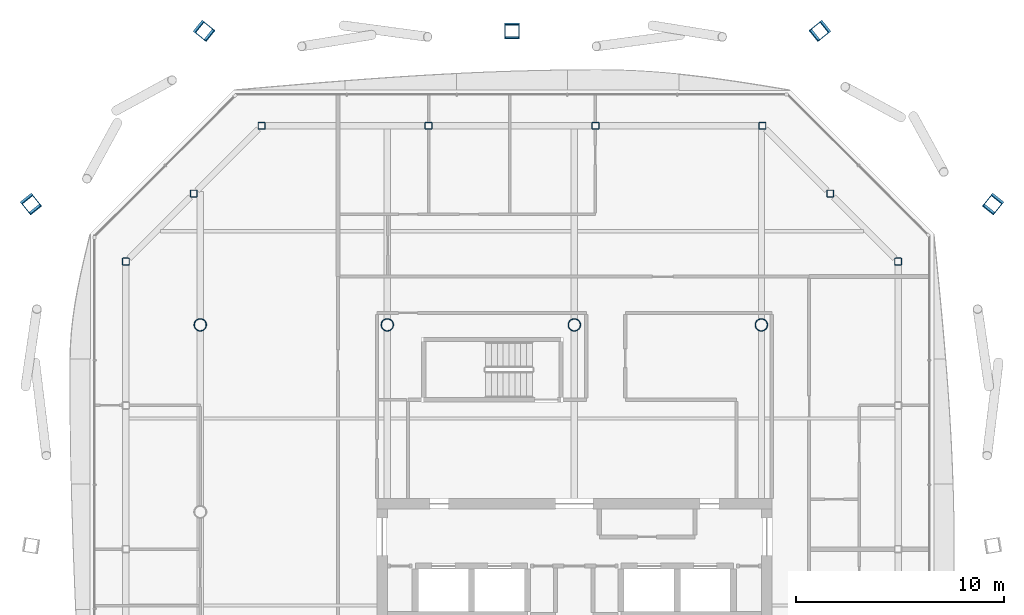
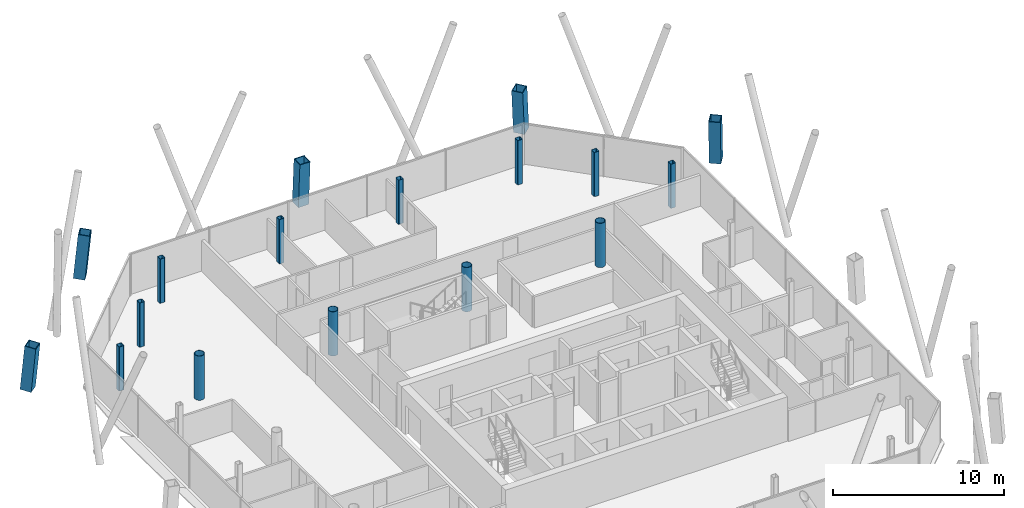
# One storey, part 2 of 19: 17 columns.
"""IFC4 building model written with IfcOpenShell, lengths in metres."""

from ifc_helpers import new_model, si_unit, direction, frame, origin, origin_2d, place, context, subcontext, project, spatial, hollow_rectangle, hollow_circle, extrude, material, material_profile, profile_set, type_object, element, save


model = new_model("IFC4")

# Units and contexts
model_context = context("Model", 3, precision=1e-05, world=origin(), true_north=direction((0.0, 1.0)))
body_context = subcontext(model_context, "Body", "Model", "MODEL_VIEW")
ifc_project = project(units=[si_unit("LENGTHUNIT", "METRE"), si_unit("AREAUNIT", "SQUARE_METRE"), si_unit("VOLUMEUNIT", "CUBIC_METRE"), si_unit("PLANEANGLEUNIT", "RADIAN"), si_unit("MASSUNIT", "GRAM", prefix="KILO")], contexts=[model_context])

# Site, building, storey
site_placement = place(None, origin())
site = spatial("IfcSite", under=ifc_project, at=site_placement, CompositionType="ELEMENT")
building_placement = place(site_placement, origin())
building = spatial("IfcBuilding", under=site, at=building_placement, Name="Tskaro Facet Tower", CompositionType="ELEMENT")
storey_placement = place(building_placement, frame((0.0, 0.0, 191.10009765625)))
storey = spatial("IfcBuildingStorey", under=building, at=storey_placement, Name="L48", CompositionType="ELEMENT", Elevation=191.10009765625)

# Columns
ifc_material_1 = material(Name="Steel S460M", Category="steel")
ifc_material_profile_1 = material_profile(ifc_material_1, hollow_rectangle(XDim=0.699951171875, YDim=0.699951171875, WallThickness=0.044921875, at=origin_2d()), Name="BOX 700x700x45")
ifc_profile_set_1 = profile_set([ifc_material_profile_1], Name="Steel S460M")
column_type_1 = type_object("IfcColumnType", Name="BOX 700x700x45 mega column", PredefinedType="COLUMN", material=ifc_profile_set_1)
for number, where, z_axis, x_axis, name in (
    (1, (20.180908203125, 14.85693359375, 0.0), (-0.057805961616, -0.071775092527, 0.995744348161), (0.778822091241, -0.627244888537, 0.0), "BOX 700x700x45 MC06/4"),
    (2, (11.85693359375, 23.180908203125, 0.0), (-0.071775092527, -0.057805961616, 0.995744348161), (0.627244888537, -0.778822091241, 0.0), "BOX 700x700x45 MC07/4"),
):
    element("IfcColumn", number, at=place(storey_placement, frame(where, z_axis=z_axis, x_axis=x_axis)), inside=storey, type_object=column_type_1, Name=name, PredefinedType="COLUMN", context=body_context, shape_type="SweptSolid", body=[
        extrude(hollow_rectangle(XDim=0.699951171875, YDim=0.699951171875, WallThickness=0.044921875, at=origin_2d()), origin(), (0.0, 0.0, 1.0), 3.163330078125),
    ])
column_placement = place(storey_placement, frame((-3.0, 23.180908203125, 0.0), z_axis=(0.0, -0.057955437846, 0.998319171019), x_axis=(1.0, 0.0, 0.0)))
element("IfcColumn", 3, at=column_placement, inside=storey, type_object=column_type_1, Name="BOX 700x700x45 MC08/4", PredefinedType="COLUMN", context=body_context, shape_type="SweptSolid", body=[
    extrude(hollow_rectangle(XDim=0.699951171875, YDim=0.699951171875, WallThickness=0.044921875, at=origin_2d()), origin(), (0.0, 0.0, 1.0), 3.1552734375),
])
for number, where, z_axis, x_axis, name in (
    (4, (-17.85693359375, 23.180908203125, 0.0), (0.071775092527, -0.057805961616, 0.995744348161), (0.627244888537, 0.778822091241, 0.0), "BOX 700x700x45 MC09/4"),
    (5, (-26.180908203125, 14.85693359375, 0.0), (0.057805961616, -0.071775092527, 0.995744348161), (0.778822091241, 0.627244888537, 0.0), "BOX 700x700x45 MC10/4"),
):
    element("IfcColumn", number, at=place(storey_placement, frame(where, z_axis=z_axis, x_axis=x_axis)), inside=storey, type_object=column_type_1, Name=name, PredefinedType="COLUMN", context=body_context, shape_type="SweptSolid", body=[
        extrude(hollow_rectangle(XDim=0.699951171875, YDim=0.699951171875, WallThickness=0.044921875, at=origin_2d()), origin(), (0.0, 0.0, 1.0), 3.163330078125),
    ])
ifc_material_2 = material(Name="Steel S355J2H", Category="steel")
ifc_material_profile_2 = material_profile(ifc_material_2, hollow_circle(Radius=0.304931640625, WallThickness=0.030029296875, at=origin_2d()), Name="CHS 610x30")
ifc_profile_set_2 = profile_set([ifc_material_profile_2], Name="Steel S355J2H")
column_type_2 = type_object("IfcColumnType", Name="CHS 610x30 interior column", PredefinedType="COLUMN", material=ifc_profile_set_2)
for number, where, z_axis, x_axis, name in (
    (6, (-18.0, 9.0, 0.0), (0.0, 0.0, 1.0), (1.0, 0.0, 0.0), "CHS 610x30 C2E/4"),
    (7, (-9.0, 9.0, 0.0), (0.0, 0.0, 1.0), (1.0, 0.0, 0.0), "CHS 610x30 C3E/4"),
    (8, (0.0, 9.0, 0.0), (0.0, 0.0, 1.0), (1.0, 0.0, 0.0), "CHS 610x30 C4E/4"),
    (9, (9.0, 9.0, 0.0), (0.0, 0.0, 1.0), (1.0, 0.0, 0.0), "CHS 610x30 C5E/4"),
):
    element("IfcColumn", number, at=place(storey_placement, frame(where, z_axis=z_axis, x_axis=x_axis)), inside=storey, type_object=column_type_2, Name=name, PredefinedType="COLUMN", context=body_context, shape_type="SweptSolid", body=[
        extrude(hollow_circle(Radius=0.304931640625, WallThickness=0.030029296875, at=origin_2d()), origin(), (0.0, 0.0, 1.0), 3.14990234375),
    ])
ifc_material_profile_3 = material_profile(ifc_material_2, hollow_rectangle(XDim=0.35009765625, YDim=0.35009765625, WallThickness=0.02001953125, InnerFilletRadius=0.030029296875, OuterFilletRadius=0.050048828125, at=origin_2d()), Name="SHS 350x350x20")
ifc_profile_set_3 = profile_set([ifc_material_profile_3], Name="Steel S355J2H")
column_type_3 = type_object("IfcColumnType", Name="SHS 350x350x20 ring column", PredefinedType="COLUMN", material=ifc_profile_set_3)
for number, where, z_axis, x_axis, name in (
    (10, (15.5830078125, 12.0458984375, 0.0), (0.0, 0.0, 1.0), (1.0, 0.0, 0.0), "SHS 350x350x20 RNE-1/4"),
    (11, (12.31396484375, 15.31396484375, 0.0), (0.0, 0.0, 1.0), (1.0, 0.0, 0.0), "SHS 350x350x20 RNE-2/4"),
    (12, (9.0458984375, 18.5830078125, 0.0), (0.0, 0.0, 1.0), (1.0, 0.0, 0.0), "SHS 350x350x20 RN-1/4"),
    (13, (1.014892578125, 18.5830078125, 0.0), (0.0, 0.0, 1.0), (1.0, 0.0, 0.0), "SHS 350x350x20 RN-2/4"),
    (14, (-7.014892578125, 18.5830078125, 0.0), (0.0, 0.0, 1.0), (1.0, 0.0, 0.0), "SHS 350x350x20 RN-3/4"),
    (15, (-15.0458984375, 18.5830078125, 0.0), (0.0, 0.0, 1.0), (1.0, 0.0, 0.0), "SHS 350x350x20 RNW-1/4"),
    (16, (-18.31396484375, 15.31396484375, 0.0), (0.0, 0.0, 1.0), (1.0, 0.0, 0.0), "SHS 350x350x20 RNW-2/4"),
    (17, (-21.5830078125, 12.0458984375, 0.0), (0.0, 0.0, 1.0), (1.0, 0.0, 0.0), "SHS 350x350x20 RW-1/4"),
):
    element("IfcColumn", number, at=place(storey_placement, frame(where, z_axis=z_axis, x_axis=x_axis)), inside=storey, type_object=column_type_3, Name=name, PredefinedType="COLUMN", context=body_context, shape_type="SweptSolid", body=[
        extrude(hollow_rectangle(XDim=0.35009765625, YDim=0.35009765625, WallThickness=0.02001953125, InnerFilletRadius=0.030029296875, OuterFilletRadius=0.050048828125, at=origin_2d()), origin(), (0.0, 0.0, 1.0), 3.14990234375),
    ])

save(model, "model.ifc")
